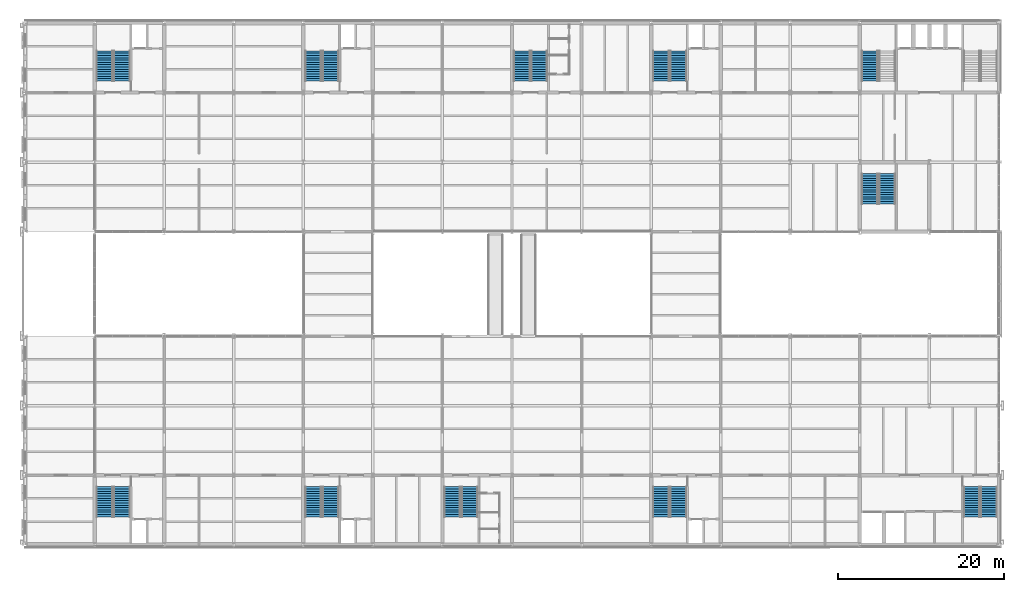
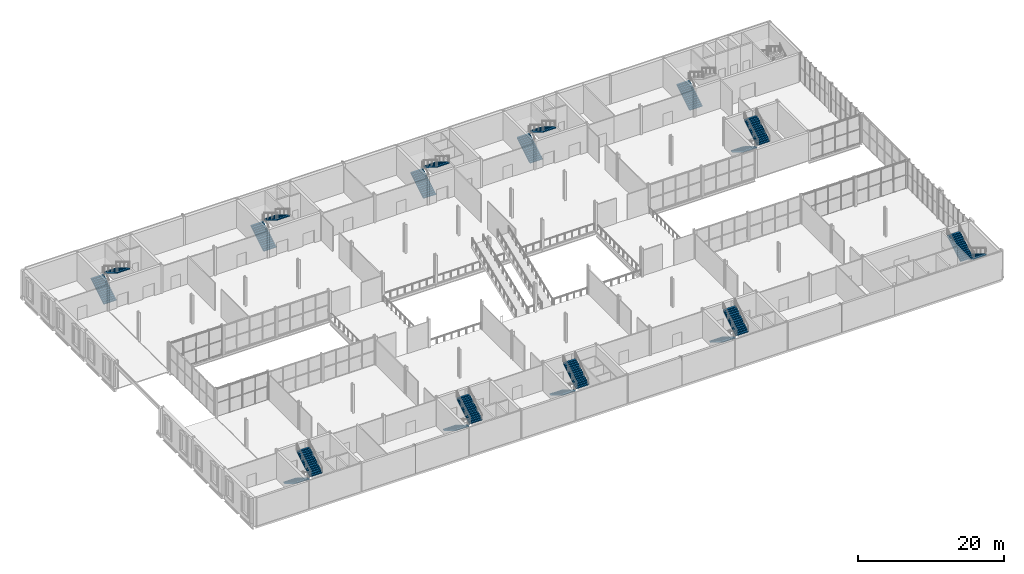
# One storey, part 42 of 61: 21 stair flights, 11 elements without a shape of their own.
"""IFC4 building model written with IfcOpenShell, lengths in metres."""

from ifc_helpers import new_model, si_unit, direction, frame, origin, place, context, subcontext, project, spatial, polyline, outline, extrude, material, type_object, element, aggregate, save


model = new_model("IFC4")

# Units and contexts
model_context = context("Model", 3, precision=1e-05, world=origin(), true_north=direction((0.0, 1.0)))
body_context = subcontext(model_context, "Body", "Model", "MODEL_VIEW")
ifc_project = project(units=[si_unit("LENGTHUNIT", "METRE"), si_unit("AREAUNIT", "SQUARE_METRE"), si_unit("VOLUMEUNIT", "CUBIC_METRE"), si_unit("PLANEANGLEUNIT", "RADIAN"), si_unit("MASSUNIT", "GRAM", prefix="KILO")], contexts=[model_context])

# Site, building, storey
site_placement = place(None, origin())
site = spatial("IfcSite", under=ifc_project, at=site_placement, CompositionType="ELEMENT")
building_placement = place(site_placement, origin())
building = spatial("IfcBuilding", under=site, at=building_placement, Name="Galleria Vessillo Department Store", CompositionType="ELEMENT")
storey_placement = place(building_placement, frame((0.0, 0.0, 11.39990234375)))
storey = spatial("IfcBuildingStorey", under=building, at=storey_placement, Name="L02", CompositionType="ELEMENT", Elevation=11.39990234375)

# Stair, stair flights
ifc_material_1 = material(Name="Concrete C32/40", Category="concrete")
stair_type = type_object("IfcStairType", Name="Half-turn escape stair 2000 mm, 28 risers of 171 mm", PredefinedType="HALF_TURN_STAIR", material=ifc_material_1)
stair_1_placement = place(storey_placement, origin())
stair_1 = element("IfcStair", 1, at=stair_1_placement, inside=storey, type_object=stair_type, Name="Stair ST1 L02", PredefinedType="HALF_TURN_STAIR")
ifc_material_2 = material(Name="Concrete C32/40", Category="concrete")
stair_flight_type = type_object("IfcStairFlightType", Name="Stair flight 2000 mm, 14 risers of 171 mm", PredefinedType="STRAIGHT", material=ifc_material_2)
stair_flight_1_placement = place(storey_placement, frame((9.60009765625, 7.00048828125, 0.0), z_axis=(0.0, 0.0, 1.0), x_axis=(0.0, -1.0, 0.0)))
stair_flight_1 = element("IfcStairFlight", 2, at=stair_flight_1_placement, type_object=stair_flight_type, Name="ST1 flight 1", NumberOfRisers=14, NumberOfTreads=13, PredefinedType="STRAIGHT", RiserHeight=0.171428571, TreadLength=0.28, context=body_context, shape_type="SweptSolid", body=[
    extrude(outline(polyline([(0.0, 0.0), (0.0, 0.17138671875), (0.280029296875, 0.17138671875), (0.280029296875, 0.3427734375), (0.56005859375, 0.3427734375), (0.56005859375, 0.514404296875), (0.840087890625, 0.514404296875), (0.840087890625, 0.685791015625), (1.1201171875, 0.685791015625), (1.1201171875, 0.857177734375), (1.39990234375, 0.857177734375), (1.39990234375, 1.028564453125), (1.679931640625, 1.028564453125), (1.679931640625, 1.199951171875), (1.9599609375, 1.199951171875), (1.9599609375, 1.371337890625), (2.239990234375, 1.371337890625), (2.239990234375, 1.54296875), (2.52001953125, 1.54296875), (2.52001953125, 1.71435546875), (2.800048828125, 1.71435546875), (2.800048828125, 1.8857421875), (3.080078125, 1.8857421875), (3.080078125, 2.05712890625), (3.360107421875, 2.05712890625), (3.360107421875, 2.228515625), (3.639892578125, 2.228515625), (3.639892578125, 2.39990234375), (3.639892578125, 2.052734375), (0.287109375, 0.0), (0.0, 0.0)])), frame((0.0, 1.0, 0.0), z_axis=(0.0, -1.0, 0.0), x_axis=(1.0, 0.0, 0.0)), (0.0, 0.0, 1.0), 2.0),
])
stair_flight_2_placement = place(storey_placement, frame((11.699951171875, 3.360595703125, 2.400146484375), z_axis=(0.0, 0.0, 1.0), x_axis=(0.0, 1.0, 0.0)))
stair_flight_2 = element("IfcStairFlight", 3, at=stair_flight_2_placement, type_object=stair_flight_type, Name="ST1 flight 2", NumberOfRisers=14, NumberOfTreads=13, PredefinedType="STRAIGHT", RiserHeight=0.171428571, TreadLength=0.28, context=body_context, shape_type="SweptSolid", body=[
    extrude(outline(polyline([(0.0, 0.0), (0.0, 0.17138671875), (0.280029296875, 0.17138671875), (0.280029296875, 0.3427734375), (0.56005859375, 0.3427734375), (0.56005859375, 0.514404296875), (0.840087890625, 0.514404296875), (0.840087890625, 0.685791015625), (1.1201171875, 0.685791015625), (1.1201171875, 0.857177734375), (1.39990234375, 0.857177734375), (1.39990234375, 1.028564453125), (1.679931640625, 1.028564453125), (1.679931640625, 1.199951171875), (1.9599609375, 1.199951171875), (1.9599609375, 1.371337890625), (2.239990234375, 1.371337890625), (2.239990234375, 1.54296875), (2.52001953125, 1.54296875), (2.52001953125, 1.71435546875), (2.800048828125, 1.71435546875), (2.800048828125, 1.8857421875), (3.080078125, 1.8857421875), (3.080078125, 2.05712890625), (3.360107421875, 2.05712890625), (3.360107421875, 2.228515625), (3.639892578125, 2.228515625), (3.639892578125, 2.39990234375), (3.639892578125, 2.052734375), (0.287109375, 0.0), (0.0, 0.0)])), frame((0.0, 1.0, 0.0), z_axis=(0.0, -1.0, 0.0), x_axis=(1.0, 0.0, 0.0)), (0.0, 0.0, 1.0), 2.0),
])
aggregate(stair_1, [stair_flight_1, stair_flight_2])

stair_2_placement = place(storey_placement, origin())
stair_2 = element("IfcStair", 4, at=stair_2_placement, inside=storey, type_object=stair_type, Name="Stair ST2 L02", PredefinedType="HALF_TURN_STAIR")
stair_flight_3_placement = place(storey_placement, frame((9.60009765625, 55.99951171875, 0.0), z_axis=(0.0, 0.0, 1.0), x_axis=(0.0, 1.0, 0.0)))
stair_flight_3 = element("IfcStairFlight", 5, at=stair_flight_3_placement, type_object=stair_flight_type, Name="ST2 flight 1", NumberOfRisers=14, NumberOfTreads=13, PredefinedType="STRAIGHT", RiserHeight=0.171428571, TreadLength=0.28, context=body_context, shape_type="SweptSolid", body=[
    extrude(outline(polyline([(0.0, 0.0), (0.0, 0.17138671875), (0.280029296875, 0.17138671875), (0.280029296875, 0.3427734375), (0.56005859375, 0.3427734375), (0.56005859375, 0.514404296875), (0.840087890625, 0.514404296875), (0.840087890625, 0.685791015625), (1.1201171875, 0.685791015625), (1.1201171875, 0.857177734375), (1.39990234375, 0.857177734375), (1.39990234375, 1.028564453125), (1.679931640625, 1.028564453125), (1.679931640625, 1.199951171875), (1.9599609375, 1.199951171875), (1.9599609375, 1.371337890625), (2.239990234375, 1.371337890625), (2.239990234375, 1.54296875), (2.52001953125, 1.54296875), (2.52001953125, 1.71435546875), (2.800048828125, 1.71435546875), (2.800048828125, 1.8857421875), (3.080078125, 1.8857421875), (3.080078125, 2.05712890625), (3.360107421875, 2.05712890625), (3.360107421875, 2.228515625), (3.639892578125, 2.228515625), (3.639892578125, 2.39990234375), (3.639892578125, 2.052734375), (0.287109375, 0.0), (0.0, 0.0)])), frame((0.0, 1.0, 0.0), z_axis=(0.0, -1.0, 0.0), x_axis=(1.0, 0.0, 0.0)), (0.0, 0.0, 1.0), 2.0),
])
stair_flight_4_placement = place(storey_placement, frame((11.699951171875, 59.639404296875, 2.400146484375), z_axis=(0.0, 0.0, 1.0), x_axis=(0.0, -1.0, 0.0)))
stair_flight_4 = element("IfcStairFlight", 6, at=stair_flight_4_placement, type_object=stair_flight_type, Name="ST2 flight 2", NumberOfRisers=14, NumberOfTreads=13, PredefinedType="STRAIGHT", RiserHeight=0.171428571, TreadLength=0.28, context=body_context, shape_type="SweptSolid", body=[
    extrude(outline(polyline([(0.0, 0.0), (0.0, 0.17138671875), (0.280029296875, 0.17138671875), (0.280029296875, 0.3427734375), (0.56005859375, 0.3427734375), (0.56005859375, 0.514404296875), (0.840087890625, 0.514404296875), (0.840087890625, 0.685791015625), (1.1201171875, 0.685791015625), (1.1201171875, 0.857177734375), (1.39990234375, 0.857177734375), (1.39990234375, 1.028564453125), (1.679931640625, 1.028564453125), (1.679931640625, 1.199951171875), (1.9599609375, 1.199951171875), (1.9599609375, 1.371337890625), (2.239990234375, 1.371337890625), (2.239990234375, 1.54296875), (2.52001953125, 1.54296875), (2.52001953125, 1.71435546875), (2.800048828125, 1.71435546875), (2.800048828125, 1.8857421875), (3.080078125, 1.8857421875), (3.080078125, 2.05712890625), (3.360107421875, 2.05712890625), (3.360107421875, 2.228515625), (3.639892578125, 2.228515625), (3.639892578125, 2.39990234375), (3.639892578125, 2.052734375), (0.287109375, 0.0), (0.0, 0.0)])), frame((0.0, 1.0, 0.0), z_axis=(0.0, -1.0, 0.0), x_axis=(1.0, 0.0, 0.0)), (0.0, 0.0, 1.0), 2.0),
])
aggregate(stair_2, [stair_flight_3, stair_flight_4])

stair_3_placement = place(storey_placement, origin())
stair_3 = element("IfcStair", 7, at=stair_3_placement, inside=storey, type_object=stair_type, Name="Stair ST3 L02", PredefinedType="HALF_TURN_STAIR")
stair_flight_5_placement = place(storey_placement, frame((34.800048828125, 7.00048828125, 0.0), z_axis=(0.0, 0.0, 1.0), x_axis=(0.0, -1.0, 0.0)))
stair_flight_5 = element("IfcStairFlight", 8, at=stair_flight_5_placement, type_object=stair_flight_type, Name="ST3 flight 1", NumberOfRisers=14, NumberOfTreads=13, PredefinedType="STRAIGHT", RiserHeight=0.171428571, TreadLength=0.28, context=body_context, shape_type="SweptSolid", body=[
    extrude(outline(polyline([(0.0, 0.0), (0.0, 0.17138671875), (0.280029296875, 0.17138671875), (0.280029296875, 0.3427734375), (0.56005859375, 0.3427734375), (0.56005859375, 0.514404296875), (0.840087890625, 0.514404296875), (0.840087890625, 0.685791015625), (1.1201171875, 0.685791015625), (1.1201171875, 0.857177734375), (1.39990234375, 0.857177734375), (1.39990234375, 1.028564453125), (1.679931640625, 1.028564453125), (1.679931640625, 1.199951171875), (1.9599609375, 1.199951171875), (1.9599609375, 1.371337890625), (2.239990234375, 1.371337890625), (2.239990234375, 1.54296875), (2.52001953125, 1.54296875), (2.52001953125, 1.71435546875), (2.800048828125, 1.71435546875), (2.800048828125, 1.8857421875), (3.080078125, 1.8857421875), (3.080078125, 2.05712890625), (3.360107421875, 2.05712890625), (3.360107421875, 2.228515625), (3.639892578125, 2.228515625), (3.639892578125, 2.39990234375), (3.639892578125, 2.052734375), (0.287109375, 0.0), (0.0, 0.0)])), frame((0.0, 1.0, 0.0), z_axis=(0.0, -1.0, 0.0), x_axis=(1.0, 0.0, 0.0)), (0.0, 0.0, 1.0), 2.0),
])
stair_flight_6_placement = place(storey_placement, frame((36.89990234375, 3.360595703125, 2.400146484375), z_axis=(0.0, 0.0, 1.0), x_axis=(0.0, 1.0, 0.0)))
stair_flight_6 = element("IfcStairFlight", 9, at=stair_flight_6_placement, type_object=stair_flight_type, Name="ST3 flight 2", NumberOfRisers=14, NumberOfTreads=13, PredefinedType="STRAIGHT", RiserHeight=0.171428571, TreadLength=0.28, context=body_context, shape_type="SweptSolid", body=[
    extrude(outline(polyline([(0.0, 0.0), (0.0, 0.17138671875), (0.280029296875, 0.17138671875), (0.280029296875, 0.3427734375), (0.56005859375, 0.3427734375), (0.56005859375, 0.514404296875), (0.840087890625, 0.514404296875), (0.840087890625, 0.685791015625), (1.1201171875, 0.685791015625), (1.1201171875, 0.857177734375), (1.39990234375, 0.857177734375), (1.39990234375, 1.028564453125), (1.679931640625, 1.028564453125), (1.679931640625, 1.199951171875), (1.9599609375, 1.199951171875), (1.9599609375, 1.371337890625), (2.239990234375, 1.371337890625), (2.239990234375, 1.54296875), (2.52001953125, 1.54296875), (2.52001953125, 1.71435546875), (2.800048828125, 1.71435546875), (2.800048828125, 1.8857421875), (3.080078125, 1.8857421875), (3.080078125, 2.05712890625), (3.360107421875, 2.05712890625), (3.360107421875, 2.228515625), (3.639892578125, 2.228515625), (3.639892578125, 2.39990234375), (3.639892578125, 2.052734375), (0.287109375, 0.0), (0.0, 0.0)])), frame((0.0, 1.0, 0.0), z_axis=(0.0, -1.0, 0.0), x_axis=(1.0, 0.0, 0.0)), (0.0, 0.0, 1.0), 2.0),
])
aggregate(stair_3, [stair_flight_5, stair_flight_6])

stair_4_placement = place(storey_placement, origin())
stair_4 = element("IfcStair", 10, at=stair_4_placement, inside=storey, type_object=stair_type, Name="Stair ST4 L02", PredefinedType="HALF_TURN_STAIR")
stair_flight_7_placement = place(storey_placement, frame((34.800048828125, 55.99951171875, 0.0), z_axis=(0.0, 0.0, 1.0), x_axis=(0.0, 1.0, 0.0)))
stair_flight_7 = element("IfcStairFlight", 11, at=stair_flight_7_placement, type_object=stair_flight_type, Name="ST4 flight 1", NumberOfRisers=14, NumberOfTreads=13, PredefinedType="STRAIGHT", RiserHeight=0.171428571, TreadLength=0.28, context=body_context, shape_type="SweptSolid", body=[
    extrude(outline(polyline([(0.0, 0.0), (0.0, 0.17138671875), (0.280029296875, 0.17138671875), (0.280029296875, 0.3427734375), (0.56005859375, 0.3427734375), (0.56005859375, 0.514404296875), (0.840087890625, 0.514404296875), (0.840087890625, 0.685791015625), (1.1201171875, 0.685791015625), (1.1201171875, 0.857177734375), (1.39990234375, 0.857177734375), (1.39990234375, 1.028564453125), (1.679931640625, 1.028564453125), (1.679931640625, 1.199951171875), (1.9599609375, 1.199951171875), (1.9599609375, 1.371337890625), (2.239990234375, 1.371337890625), (2.239990234375, 1.54296875), (2.52001953125, 1.54296875), (2.52001953125, 1.71435546875), (2.800048828125, 1.71435546875), (2.800048828125, 1.8857421875), (3.080078125, 1.8857421875), (3.080078125, 2.05712890625), (3.360107421875, 2.05712890625), (3.360107421875, 2.228515625), (3.639892578125, 2.228515625), (3.639892578125, 2.39990234375), (3.639892578125, 2.052734375), (0.287109375, 0.0), (0.0, 0.0)])), frame((0.0, 1.0, 0.0), z_axis=(0.0, -1.0, 0.0), x_axis=(1.0, 0.0, 0.0)), (0.0, 0.0, 1.0), 2.0),
])
stair_flight_8_placement = place(storey_placement, frame((36.89990234375, 59.639404296875, 2.400146484375), z_axis=(0.0, 0.0, 1.0), x_axis=(0.0, -1.0, 0.0)))
stair_flight_8 = element("IfcStairFlight", 12, at=stair_flight_8_placement, type_object=stair_flight_type, Name="ST4 flight 2", NumberOfRisers=14, NumberOfTreads=13, PredefinedType="STRAIGHT", RiserHeight=0.171428571, TreadLength=0.28, context=body_context, shape_type="SweptSolid", body=[
    extrude(outline(polyline([(0.0, 0.0), (0.0, 0.17138671875), (0.280029296875, 0.17138671875), (0.280029296875, 0.3427734375), (0.56005859375, 0.3427734375), (0.56005859375, 0.514404296875), (0.840087890625, 0.514404296875), (0.840087890625, 0.685791015625), (1.1201171875, 0.685791015625), (1.1201171875, 0.857177734375), (1.39990234375, 0.857177734375), (1.39990234375, 1.028564453125), (1.679931640625, 1.028564453125), (1.679931640625, 1.199951171875), (1.9599609375, 1.199951171875), (1.9599609375, 1.371337890625), (2.239990234375, 1.371337890625), (2.239990234375, 1.54296875), (2.52001953125, 1.54296875), (2.52001953125, 1.71435546875), (2.800048828125, 1.71435546875), (2.800048828125, 1.8857421875), (3.080078125, 1.8857421875), (3.080078125, 2.05712890625), (3.360107421875, 2.05712890625), (3.360107421875, 2.228515625), (3.639892578125, 2.228515625), (3.639892578125, 2.39990234375), (3.639892578125, 2.052734375), (0.287109375, 0.0), (0.0, 0.0)])), frame((0.0, 1.0, 0.0), z_axis=(0.0, -1.0, 0.0), x_axis=(1.0, 0.0, 0.0)), (0.0, 0.0, 1.0), 2.0),
])
aggregate(stair_4, [stair_flight_7, stair_flight_8])

stair_5_placement = place(storey_placement, origin())
stair_5 = element("IfcStair", 13, at=stair_5_placement, inside=storey, type_object=stair_type, Name="Stair ST5 L02", PredefinedType="HALF_TURN_STAIR")
stair_flight_9_placement = place(storey_placement, frame((76.800048828125, 7.00048828125, 0.0), z_axis=(0.0, 0.0, 1.0), x_axis=(0.0, -1.0, 0.0)))
stair_flight_9 = element("IfcStairFlight", 14, at=stair_flight_9_placement, type_object=stair_flight_type, Name="ST5 flight 1", NumberOfRisers=14, NumberOfTreads=13, PredefinedType="STRAIGHT", RiserHeight=0.171428571, TreadLength=0.28, context=body_context, shape_type="SweptSolid", body=[
    extrude(outline(polyline([(0.0, 0.0), (0.0, 0.17138671875), (0.280029296875, 0.17138671875), (0.280029296875, 0.3427734375), (0.56005859375, 0.3427734375), (0.56005859375, 0.514404296875), (0.840087890625, 0.514404296875), (0.840087890625, 0.685791015625), (1.1201171875, 0.685791015625), (1.1201171875, 0.857177734375), (1.39990234375, 0.857177734375), (1.39990234375, 1.028564453125), (1.679931640625, 1.028564453125), (1.679931640625, 1.199951171875), (1.9599609375, 1.199951171875), (1.9599609375, 1.371337890625), (2.239990234375, 1.371337890625), (2.239990234375, 1.54296875), (2.52001953125, 1.54296875), (2.52001953125, 1.71435546875), (2.800048828125, 1.71435546875), (2.800048828125, 1.8857421875), (3.080078125, 1.8857421875), (3.080078125, 2.05712890625), (3.360107421875, 2.05712890625), (3.360107421875, 2.228515625), (3.639892578125, 2.228515625), (3.639892578125, 2.39990234375), (3.639892578125, 2.052734375), (0.287109375, 0.0), (0.0, 0.0)])), frame((0.0, 1.0, 0.0), z_axis=(0.0, -1.0, 0.0), x_axis=(1.0, 0.0, 0.0)), (0.0, 0.0, 1.0), 2.0),
])
stair_flight_10_placement = place(storey_placement, frame((78.89990234375, 3.360595703125, 2.400146484375), z_axis=(0.0, 0.0, 1.0), x_axis=(0.0, 1.0, 0.0)))
stair_flight_10 = element("IfcStairFlight", 15, at=stair_flight_10_placement, type_object=stair_flight_type, Name="ST5 flight 2", NumberOfRisers=14, NumberOfTreads=13, PredefinedType="STRAIGHT", RiserHeight=0.171428571, TreadLength=0.28, context=body_context, shape_type="SweptSolid", body=[
    extrude(outline(polyline([(0.0, 0.0), (0.0, 0.17138671875), (0.280029296875, 0.17138671875), (0.280029296875, 0.3427734375), (0.56005859375, 0.3427734375), (0.56005859375, 0.514404296875), (0.840087890625, 0.514404296875), (0.840087890625, 0.685791015625), (1.1201171875, 0.685791015625), (1.1201171875, 0.857177734375), (1.39990234375, 0.857177734375), (1.39990234375, 1.028564453125), (1.679931640625, 1.028564453125), (1.679931640625, 1.199951171875), (1.9599609375, 1.199951171875), (1.9599609375, 1.371337890625), (2.239990234375, 1.371337890625), (2.239990234375, 1.54296875), (2.52001953125, 1.54296875), (2.52001953125, 1.71435546875), (2.800048828125, 1.71435546875), (2.800048828125, 1.8857421875), (3.080078125, 1.8857421875), (3.080078125, 2.05712890625), (3.360107421875, 2.05712890625), (3.360107421875, 2.228515625), (3.639892578125, 2.228515625), (3.639892578125, 2.39990234375), (3.639892578125, 2.052734375), (0.287109375, 0.0), (0.0, 0.0)])), frame((0.0, 1.0, 0.0), z_axis=(0.0, -1.0, 0.0), x_axis=(1.0, 0.0, 0.0)), (0.0, 0.0, 1.0), 2.0),
])
aggregate(stair_5, [stair_flight_9, stair_flight_10])

stair_6_placement = place(storey_placement, origin())
stair_6 = element("IfcStair", 16, at=stair_6_placement, inside=storey, type_object=stair_type, Name="Stair ST6 L02", PredefinedType="HALF_TURN_STAIR")
stair_flight_11_placement = place(storey_placement, frame((76.800048828125, 55.99951171875, 0.0), z_axis=(0.0, 0.0, 1.0), x_axis=(0.0, 1.0, 0.0)))
stair_flight_11 = element("IfcStairFlight", 17, at=stair_flight_11_placement, type_object=stair_flight_type, Name="ST6 flight 1", NumberOfRisers=14, NumberOfTreads=13, PredefinedType="STRAIGHT", RiserHeight=0.171428571, TreadLength=0.28, context=body_context, shape_type="SweptSolid", body=[
    extrude(outline(polyline([(0.0, 0.0), (0.0, 0.17138671875), (0.280029296875, 0.17138671875), (0.280029296875, 0.3427734375), (0.56005859375, 0.3427734375), (0.56005859375, 0.514404296875), (0.840087890625, 0.514404296875), (0.840087890625, 0.685791015625), (1.1201171875, 0.685791015625), (1.1201171875, 0.857177734375), (1.39990234375, 0.857177734375), (1.39990234375, 1.028564453125), (1.679931640625, 1.028564453125), (1.679931640625, 1.199951171875), (1.9599609375, 1.199951171875), (1.9599609375, 1.371337890625), (2.239990234375, 1.371337890625), (2.239990234375, 1.54296875), (2.52001953125, 1.54296875), (2.52001953125, 1.71435546875), (2.800048828125, 1.71435546875), (2.800048828125, 1.8857421875), (3.080078125, 1.8857421875), (3.080078125, 2.05712890625), (3.360107421875, 2.05712890625), (3.360107421875, 2.228515625), (3.639892578125, 2.228515625), (3.639892578125, 2.39990234375), (3.639892578125, 2.052734375), (0.287109375, 0.0), (0.0, 0.0)])), frame((0.0, 1.0, 0.0), z_axis=(0.0, -1.0, 0.0), x_axis=(1.0, 0.0, 0.0)), (0.0, 0.0, 1.0), 2.0),
])
stair_flight_12_placement = place(storey_placement, frame((78.89990234375, 59.639404296875, 2.400146484375), z_axis=(0.0, 0.0, 1.0), x_axis=(0.0, -1.0, 0.0)))
stair_flight_12 = element("IfcStairFlight", 18, at=stair_flight_12_placement, type_object=stair_flight_type, Name="ST6 flight 2", NumberOfRisers=14, NumberOfTreads=13, PredefinedType="STRAIGHT", RiserHeight=0.171428571, TreadLength=0.28, context=body_context, shape_type="SweptSolid", body=[
    extrude(outline(polyline([(0.0, 0.0), (0.0, 0.17138671875), (0.280029296875, 0.17138671875), (0.280029296875, 0.3427734375), (0.56005859375, 0.3427734375), (0.56005859375, 0.514404296875), (0.840087890625, 0.514404296875), (0.840087890625, 0.685791015625), (1.1201171875, 0.685791015625), (1.1201171875, 0.857177734375), (1.39990234375, 0.857177734375), (1.39990234375, 1.028564453125), (1.679931640625, 1.028564453125), (1.679931640625, 1.199951171875), (1.9599609375, 1.199951171875), (1.9599609375, 1.371337890625), (2.239990234375, 1.371337890625), (2.239990234375, 1.54296875), (2.52001953125, 1.54296875), (2.52001953125, 1.71435546875), (2.800048828125, 1.71435546875), (2.800048828125, 1.8857421875), (3.080078125, 1.8857421875), (3.080078125, 2.05712890625), (3.360107421875, 2.05712890625), (3.360107421875, 2.228515625), (3.639892578125, 2.228515625), (3.639892578125, 2.39990234375), (3.639892578125, 2.052734375), (0.287109375, 0.0), (0.0, 0.0)])), frame((0.0, 1.0, 0.0), z_axis=(0.0, -1.0, 0.0), x_axis=(1.0, 0.0, 0.0)), (0.0, 0.0, 1.0), 2.0),
])
aggregate(stair_6, [stair_flight_11, stair_flight_12])

stair_7_placement = place(storey_placement, origin())
stair_7 = element("IfcStair", 19, at=stair_7_placement, inside=storey, type_object=stair_type, Name="Stair ST10 L02", PredefinedType="HALF_TURN_STAIR")
stair_flight_13_placement = place(storey_placement, frame((51.60009765625, 7.00048828125, 0.0), z_axis=(0.0, 0.0, 1.0), x_axis=(0.0, -1.0, 0.0)))
stair_flight_13 = element("IfcStairFlight", 20, at=stair_flight_13_placement, type_object=stair_flight_type, Name="ST10 flight 1", NumberOfRisers=14, NumberOfTreads=13, PredefinedType="STRAIGHT", RiserHeight=0.171428571, TreadLength=0.28, context=body_context, shape_type="SweptSolid", body=[
    extrude(outline(polyline([(0.0, 0.0), (0.0, 0.17138671875), (0.280029296875, 0.17138671875), (0.280029296875, 0.3427734375), (0.56005859375, 0.3427734375), (0.56005859375, 0.514404296875), (0.840087890625, 0.514404296875), (0.840087890625, 0.685791015625), (1.1201171875, 0.685791015625), (1.1201171875, 0.857177734375), (1.39990234375, 0.857177734375), (1.39990234375, 1.028564453125), (1.679931640625, 1.028564453125), (1.679931640625, 1.199951171875), (1.9599609375, 1.199951171875), (1.9599609375, 1.371337890625), (2.239990234375, 1.371337890625), (2.239990234375, 1.54296875), (2.52001953125, 1.54296875), (2.52001953125, 1.71435546875), (2.800048828125, 1.71435546875), (2.800048828125, 1.8857421875), (3.080078125, 1.8857421875), (3.080078125, 2.05712890625), (3.360107421875, 2.05712890625), (3.360107421875, 2.228515625), (3.639892578125, 2.228515625), (3.639892578125, 2.39990234375), (3.639892578125, 2.052734375), (0.287109375, 0.0), (0.0, 0.0)])), frame((0.0, 1.0, 0.0), z_axis=(0.0, -1.0, 0.0), x_axis=(1.0, 0.0, 0.0)), (0.0, 0.0, 1.0), 2.0),
])
stair_flight_14_placement = place(storey_placement, frame((53.699951171875, 3.360595703125, 2.400146484375), z_axis=(0.0, 0.0, 1.0), x_axis=(0.0, 1.0, 0.0)))
stair_flight_14 = element("IfcStairFlight", 21, at=stair_flight_14_placement, type_object=stair_flight_type, Name="ST10 flight 2", NumberOfRisers=14, NumberOfTreads=13, PredefinedType="STRAIGHT", RiserHeight=0.171428571, TreadLength=0.28, context=body_context, shape_type="SweptSolid", body=[
    extrude(outline(polyline([(0.0, 0.0), (0.0, 0.17138671875), (0.280029296875, 0.17138671875), (0.280029296875, 0.3427734375), (0.56005859375, 0.3427734375), (0.56005859375, 0.514404296875), (0.840087890625, 0.514404296875), (0.840087890625, 0.685791015625), (1.1201171875, 0.685791015625), (1.1201171875, 0.857177734375), (1.39990234375, 0.857177734375), (1.39990234375, 1.028564453125), (1.679931640625, 1.028564453125), (1.679931640625, 1.199951171875), (1.9599609375, 1.199951171875), (1.9599609375, 1.371337890625), (2.239990234375, 1.371337890625), (2.239990234375, 1.54296875), (2.52001953125, 1.54296875), (2.52001953125, 1.71435546875), (2.800048828125, 1.71435546875), (2.800048828125, 1.8857421875), (3.080078125, 1.8857421875), (3.080078125, 2.05712890625), (3.360107421875, 2.05712890625), (3.360107421875, 2.228515625), (3.639892578125, 2.228515625), (3.639892578125, 2.39990234375), (3.639892578125, 2.052734375), (0.287109375, 0.0), (0.0, 0.0)])), frame((0.0, 1.0, 0.0), z_axis=(0.0, -1.0, 0.0), x_axis=(1.0, 0.0, 0.0)), (0.0, 0.0, 1.0), 2.0),
])
aggregate(stair_7, [stair_flight_13, stair_flight_14])

stair_8_placement = place(storey_placement, origin())
stair_8 = element("IfcStair", 22, at=stair_8_placement, inside=storey, type_object=stair_type, Name="Stair ST11 L02", PredefinedType="HALF_TURN_STAIR")
stair_flight_15_placement = place(storey_placement, frame((60.0, 55.99951171875, 0.0), z_axis=(0.0, 0.0, 1.0), x_axis=(0.0, 1.0, 0.0)))
stair_flight_15 = element("IfcStairFlight", 23, at=stair_flight_15_placement, type_object=stair_flight_type, Name="ST11 flight 1", NumberOfRisers=14, NumberOfTreads=13, PredefinedType="STRAIGHT", RiserHeight=0.171428571, TreadLength=0.28, context=body_context, shape_type="SweptSolid", body=[
    extrude(outline(polyline([(0.0, 0.0), (0.0, 0.17138671875), (0.280029296875, 0.17138671875), (0.280029296875, 0.3427734375), (0.56005859375, 0.3427734375), (0.56005859375, 0.514404296875), (0.840087890625, 0.514404296875), (0.840087890625, 0.685791015625), (1.1201171875, 0.685791015625), (1.1201171875, 0.857177734375), (1.39990234375, 0.857177734375), (1.39990234375, 1.028564453125), (1.679931640625, 1.028564453125), (1.679931640625, 1.199951171875), (1.9599609375, 1.199951171875), (1.9599609375, 1.371337890625), (2.239990234375, 1.371337890625), (2.239990234375, 1.54296875), (2.52001953125, 1.54296875), (2.52001953125, 1.71435546875), (2.800048828125, 1.71435546875), (2.800048828125, 1.8857421875), (3.080078125, 1.8857421875), (3.080078125, 2.05712890625), (3.360107421875, 2.05712890625), (3.360107421875, 2.228515625), (3.639892578125, 2.228515625), (3.639892578125, 2.39990234375), (3.639892578125, 2.052734375), (0.287109375, 0.0), (0.0, 0.0)])), frame((0.0, 1.0, 0.0), z_axis=(0.0, -1.0, 0.0), x_axis=(1.0, 0.0, 0.0)), (0.0, 0.0, 1.0), 2.0),
])
stair_flight_16_placement = place(storey_placement, frame((62.10009765625, 59.639404296875, 2.400146484375), z_axis=(0.0, 0.0, 1.0), x_axis=(0.0, -1.0, 0.0)))
stair_flight_16 = element("IfcStairFlight", 24, at=stair_flight_16_placement, type_object=stair_flight_type, Name="ST11 flight 2", NumberOfRisers=14, NumberOfTreads=13, PredefinedType="STRAIGHT", RiserHeight=0.171428571, TreadLength=0.28, context=body_context, shape_type="SweptSolid", body=[
    extrude(outline(polyline([(0.0, 0.0), (0.0, 0.17138671875), (0.280029296875, 0.17138671875), (0.280029296875, 0.3427734375), (0.56005859375, 0.3427734375), (0.56005859375, 0.514404296875), (0.840087890625, 0.514404296875), (0.840087890625, 0.685791015625), (1.1201171875, 0.685791015625), (1.1201171875, 0.857177734375), (1.39990234375, 0.857177734375), (1.39990234375, 1.028564453125), (1.679931640625, 1.028564453125), (1.679931640625, 1.199951171875), (1.9599609375, 1.199951171875), (1.9599609375, 1.371337890625), (2.239990234375, 1.371337890625), (2.239990234375, 1.54296875), (2.52001953125, 1.54296875), (2.52001953125, 1.71435546875), (2.800048828125, 1.71435546875), (2.800048828125, 1.8857421875), (3.080078125, 1.8857421875), (3.080078125, 2.05712890625), (3.360107421875, 2.05712890625), (3.360107421875, 2.228515625), (3.639892578125, 2.228515625), (3.639892578125, 2.39990234375), (3.639892578125, 2.052734375), (0.287109375, 0.0), (0.0, 0.0)])), frame((0.0, 1.0, 0.0), z_axis=(0.0, -1.0, 0.0), x_axis=(1.0, 0.0, 0.0)), (0.0, 0.0, 1.0), 2.0),
])
aggregate(stair_8, [stair_flight_15, stair_flight_16])

stair_9_placement = place(storey_placement, origin())
stair_9 = element("IfcStair", 25, at=stair_9_placement, inside=storey, type_object=stair_type, Name="Stair ST7 L02", PredefinedType="HALF_TURN_STAIR")
stair_flight_17_placement = place(storey_placement, frame((116.39990234375, 7.00048828125, 0.0), z_axis=(0.0, 0.0, 1.0), x_axis=(0.0, -1.0, 0.0)))
stair_flight_17 = element("IfcStairFlight", 26, at=stair_flight_17_placement, type_object=stair_flight_type, Name="ST7 flight 1", NumberOfRisers=14, NumberOfTreads=13, PredefinedType="STRAIGHT", RiserHeight=0.171428571, TreadLength=0.28, context=body_context, shape_type="SweptSolid", body=[
    extrude(outline(polyline([(0.0, 0.0), (0.0, 0.17138671875), (0.280029296875, 0.17138671875), (0.280029296875, 0.3427734375), (0.56005859375, 0.3427734375), (0.56005859375, 0.514404296875), (0.840087890625, 0.514404296875), (0.840087890625, 0.685791015625), (1.1201171875, 0.685791015625), (1.1201171875, 0.857177734375), (1.39990234375, 0.857177734375), (1.39990234375, 1.028564453125), (1.679931640625, 1.028564453125), (1.679931640625, 1.199951171875), (1.9599609375, 1.199951171875), (1.9599609375, 1.371337890625), (2.239990234375, 1.371337890625), (2.239990234375, 1.54296875), (2.52001953125, 1.54296875), (2.52001953125, 1.71435546875), (2.800048828125, 1.71435546875), (2.800048828125, 1.8857421875), (3.080078125, 1.8857421875), (3.080078125, 2.05712890625), (3.360107421875, 2.05712890625), (3.360107421875, 2.228515625), (3.639892578125, 2.228515625), (3.639892578125, 2.39990234375), (3.639892578125, 2.052734375), (0.287109375, 0.0), (0.0, 0.0)])), frame((0.0, 1.0, 0.0), z_axis=(0.0, -1.0, 0.0), x_axis=(1.0, 0.0, 0.0)), (0.0, 0.0, 1.0), 2.0),
])
stair_flight_18_placement = place(storey_placement, frame((114.300048828125, 3.360595703125, 2.400146484375), z_axis=(0.0, 0.0, 1.0), x_axis=(0.0, 1.0, 0.0)))
stair_flight_18 = element("IfcStairFlight", 27, at=stair_flight_18_placement, type_object=stair_flight_type, Name="ST7 flight 2", NumberOfRisers=14, NumberOfTreads=13, PredefinedType="STRAIGHT", RiserHeight=0.171428571, TreadLength=0.28, context=body_context, shape_type="SweptSolid", body=[
    extrude(outline(polyline([(0.0, 0.0), (0.0, 0.17138671875), (0.280029296875, 0.17138671875), (0.280029296875, 0.3427734375), (0.56005859375, 0.3427734375), (0.56005859375, 0.514404296875), (0.840087890625, 0.514404296875), (0.840087890625, 0.685791015625), (1.1201171875, 0.685791015625), (1.1201171875, 0.857177734375), (1.39990234375, 0.857177734375), (1.39990234375, 1.028564453125), (1.679931640625, 1.028564453125), (1.679931640625, 1.199951171875), (1.9599609375, 1.199951171875), (1.9599609375, 1.371337890625), (2.239990234375, 1.371337890625), (2.239990234375, 1.54296875), (2.52001953125, 1.54296875), (2.52001953125, 1.71435546875), (2.800048828125, 1.71435546875), (2.800048828125, 1.8857421875), (3.080078125, 1.8857421875), (3.080078125, 2.05712890625), (3.360107421875, 2.05712890625), (3.360107421875, 2.228515625), (3.639892578125, 2.228515625), (3.639892578125, 2.39990234375), (3.639892578125, 2.052734375), (0.287109375, 0.0), (0.0, 0.0)])), frame((0.0, 1.0, 0.0), z_axis=(0.0, -1.0, 0.0), x_axis=(1.0, 0.0, 0.0)), (0.0, 0.0, 1.0), 2.0),
])
aggregate(stair_9, [stair_flight_17, stair_flight_18])

# Stair, stair flight
stair_10_placement = place(storey_placement, origin())
stair_10 = element("IfcStair", 28, at=stair_10_placement, inside=storey, type_object=stair_type, Name="Stair ST8 L02", PredefinedType="HALF_TURN_STAIR")
stair_flight_19_placement = place(storey_placement, frame((102.0, 55.99951171875, 0.0), z_axis=(0.0, 0.0, 1.0), x_axis=(0.0, 1.0, 0.0)))
stair_flight_19 = element("IfcStairFlight", 29, at=stair_flight_19_placement, type_object=stair_flight_type, Name="ST8 flight 1", NumberOfRisers=14, NumberOfTreads=13, PredefinedType="STRAIGHT", RiserHeight=0.171428571, TreadLength=0.28, context=body_context, shape_type="SweptSolid", body=[
    extrude(outline(polyline([(0.0, 0.0), (0.0, 0.17138671875), (0.280029296875, 0.17138671875), (0.280029296875, 0.3427734375), (0.56005859375, 0.3427734375), (0.56005859375, 0.514404296875), (0.840087890625, 0.514404296875), (0.840087890625, 0.685791015625), (1.1201171875, 0.685791015625), (1.1201171875, 0.857177734375), (1.39990234375, 0.857177734375), (1.39990234375, 1.028564453125), (1.679931640625, 1.028564453125), (1.679931640625, 1.199951171875), (1.9599609375, 1.199951171875), (1.9599609375, 1.371337890625), (2.239990234375, 1.371337890625), (2.239990234375, 1.54296875), (2.52001953125, 1.54296875), (2.52001953125, 1.71435546875), (2.800048828125, 1.71435546875), (2.800048828125, 1.8857421875), (3.080078125, 1.8857421875), (3.080078125, 2.05712890625), (3.360107421875, 2.05712890625), (3.360107421875, 2.228515625), (3.639892578125, 2.228515625), (3.639892578125, 2.39990234375), (3.639892578125, 2.052734375), (0.287109375, 0.0), (0.0, 0.0)])), frame((0.0, 1.0, 0.0), z_axis=(0.0, -1.0, 0.0), x_axis=(1.0, 0.0, 0.0)), (0.0, 0.0, 1.0), 2.0),
])
aggregate(stair_10, [stair_flight_19])

# Stair, stair flights
stair_11_placement = place(storey_placement, origin())
stair_11 = element("IfcStair", 30, at=stair_11_placement, inside=storey, type_object=stair_type, Name="Stair ST12 L02", PredefinedType="HALF_TURN_STAIR")
stair_flight_20_placement = place(storey_placement, frame((102.0, 44.800537109375, 0.0), z_axis=(0.0, 0.0, 1.0), x_axis=(0.0, -1.0, 0.0)))
stair_flight_20 = element("IfcStairFlight", 31, at=stair_flight_20_placement, type_object=stair_flight_type, Name="ST12 flight 1", NumberOfRisers=14, NumberOfTreads=13, PredefinedType="STRAIGHT", RiserHeight=0.171428571, TreadLength=0.28, context=body_context, shape_type="SweptSolid", body=[
    extrude(outline(polyline([(0.0, 0.0), (0.0, 0.17138671875), (0.280029296875, 0.17138671875), (0.280029296875, 0.3427734375), (0.56005859375, 0.3427734375), (0.56005859375, 0.514404296875), (0.840087890625, 0.514404296875), (0.840087890625, 0.685791015625), (1.1201171875, 0.685791015625), (1.1201171875, 0.857177734375), (1.39990234375, 0.857177734375), (1.39990234375, 1.028564453125), (1.679931640625, 1.028564453125), (1.679931640625, 1.199951171875), (1.9599609375, 1.199951171875), (1.9599609375, 1.371337890625), (2.239990234375, 1.371337890625), (2.239990234375, 1.54296875), (2.52001953125, 1.54296875), (2.52001953125, 1.71435546875), (2.800048828125, 1.71435546875), (2.800048828125, 1.8857421875), (3.080078125, 1.8857421875), (3.080078125, 2.05712890625), (3.360107421875, 2.05712890625), (3.360107421875, 2.228515625), (3.639892578125, 2.228515625), (3.639892578125, 2.39990234375), (3.639892578125, 2.052734375), (0.287109375, 0.0), (0.0, 0.0)])), frame((0.0, 1.0, 0.0), z_axis=(0.0, -1.0, 0.0), x_axis=(1.0, 0.0, 0.0)), (0.0, 0.0, 1.0), 2.0),
])
stair_flight_21_placement = place(storey_placement, frame((104.10009765625, 41.160400390625, 2.400146484375), z_axis=(0.0, 0.0, 1.0), x_axis=(0.0, 1.0, 0.0)))
stair_flight_21 = element("IfcStairFlight", 32, at=stair_flight_21_placement, type_object=stair_flight_type, Name="ST12 flight 2", NumberOfRisers=14, NumberOfTreads=13, PredefinedType="STRAIGHT", RiserHeight=0.171428571, TreadLength=0.28, context=body_context, shape_type="SweptSolid", body=[
    extrude(outline(polyline([(0.0, 0.0), (0.0, 0.17138671875), (0.280029296875, 0.17138671875), (0.280029296875, 0.3427734375), (0.56005859375, 0.3427734375), (0.56005859375, 0.514404296875), (0.840087890625, 0.514404296875), (0.840087890625, 0.685791015625), (1.1201171875, 0.685791015625), (1.1201171875, 0.857177734375), (1.39990234375, 0.857177734375), (1.39990234375, 1.028564453125), (1.679931640625, 1.028564453125), (1.679931640625, 1.199951171875), (1.9599609375, 1.199951171875), (1.9599609375, 1.371337890625), (2.239990234375, 1.371337890625), (2.239990234375, 1.54296875), (2.52001953125, 1.54296875), (2.52001953125, 1.71435546875), (2.800048828125, 1.71435546875), (2.800048828125, 1.8857421875), (3.080078125, 1.8857421875), (3.080078125, 2.05712890625), (3.360107421875, 2.05712890625), (3.360107421875, 2.228515625), (3.639892578125, 2.228515625), (3.639892578125, 2.39990234375), (3.639892578125, 2.052734375), (0.287109375, 0.0), (0.0, 0.0)])), frame((0.0, 1.0, 0.0), z_axis=(0.0, -1.0, 0.0), x_axis=(1.0, 0.0, 0.0)), (0.0, 0.0, 1.0), 2.0),
])
aggregate(stair_11, [stair_flight_20, stair_flight_21])

save(model, "model.ifc")
